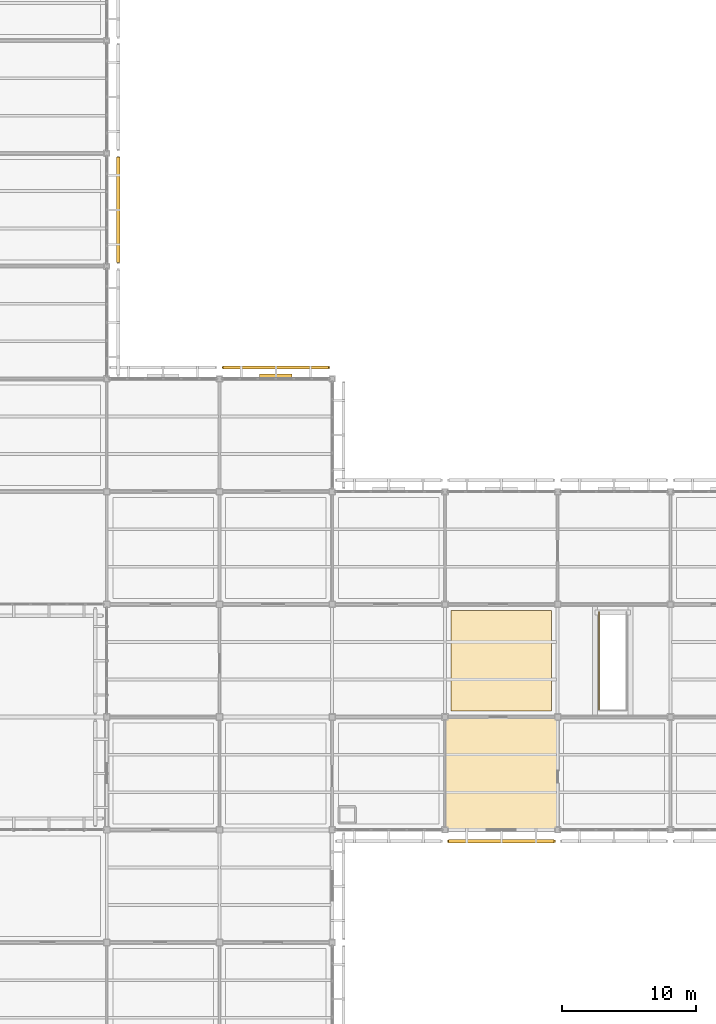
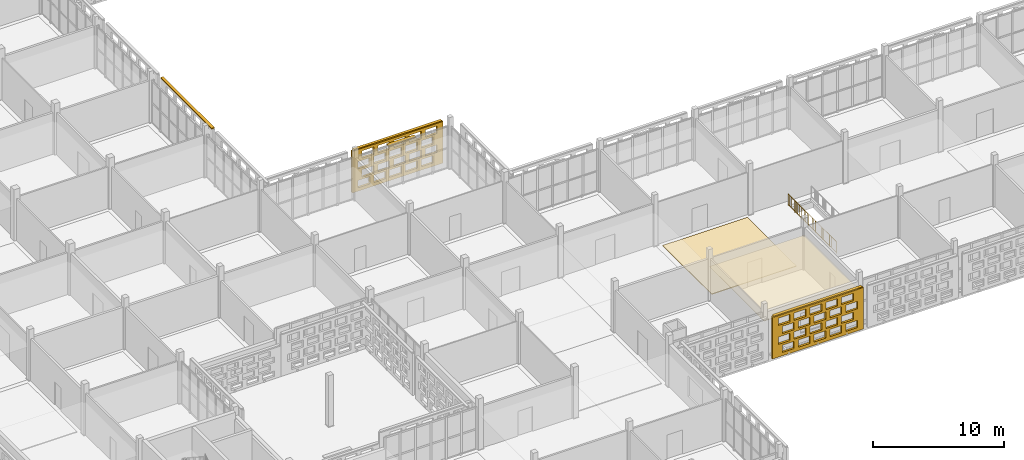
# One storey, part 148 of 203: 4 coverings, 4 shading devices, 1 railing, 40 openings.
"""IFC4 building model written with IfcOpenShell, lengths in metres."""

from ifc_helpers import new_model, si_unit, direction, frame, frame_2d, origin, origin_2d, place, context, subcontext, project, spatial, rectangle, circle, extrude, material, layer, layer_set, type_object, element, save


model = new_model("IFC4")

# Units and contexts
model_context = context("Model", 3, precision=1e-05, world=origin(), true_north=direction((0.0, 1.0)))
body_context = subcontext(model_context, "Body", "Model", "MODEL_VIEW")
ifc_project = project(units=[si_unit("LENGTHUNIT", "METRE"), si_unit("AREAUNIT", "SQUARE_METRE"), si_unit("VOLUMEUNIT", "CUBIC_METRE"), si_unit("PLANEANGLEUNIT", "RADIAN"), si_unit("MASSUNIT", "GRAM", prefix="KILO")], contexts=[model_context])

# Site, building, storey
site_placement = place(None, origin())
site = spatial("IfcSite", under=ifc_project, at=site_placement, CompositionType="ELEMENT")
building_placement = place(site_placement, origin())
building = spatial("IfcBuilding", under=site, at=building_placement, Name="Varnapada Polytechnic", CompositionType="ELEMENT")
storey_placement = place(building_placement, frame((0.0, 0.0, 4.800048828125)))
storey = spatial("IfcBuildingStorey", under=building, at=storey_placement, Name="L01", CompositionType="ELEMENT", Elevation=4.800048828125)

# Covering
ifc_material_1 = material(Name="End-Grain Timber Studio Block Flooring", Category="wood")
ifc_layer_1 = layer(ifc_material_1, 0.054931640625)
ifc_layer_set_1 = layer_set([ifc_layer_1], Name="End-Grain Timber Studio Block Flooring")
covering_type_1 = type_object("IfcCoveringType", Name="Floor Finish FLR-04", PredefinedType="FLOORING", material=ifc_layer_set_1)
covering_1_placement = place(storey_placement, frame((71.39990234375, 29.39990234375, 0.0), z_axis=(0.0, 0.0, 1.0), x_axis=(1.0, 0.0, 0.0)))
element("IfcCovering", 1, at=covering_1_placement, inside=storey, type_object=covering_type_1, Name="L01 floor finish panel (9,4)", PredefinedType="FLOORING", context=body_context, shape_type="SweptSolid", body=[
    extrude(rectangle(XDim=7.5, YDim=7.5, at=origin_2d()), origin(), (0.0, 0.0, 1.0), 0.054931640625),
])

# Shading device
ifc_material_2 = material(Name="Anodised aluminium", Category="aluminium")
ifc_layer_2 = layer(ifc_material_2, 0.35009765625)
ifc_layer_set_2 = layer_set([ifc_layer_2], Name="Anodised aluminium")
shading_device_type_1 = type_object("IfcShadingDeviceType", Name="Solar Louvre LVR-01", PredefinedType="JALOUSIE", material=ifc_layer_set_2)
shading_device_1_placement = place(storey_placement, frame((54.60009765625, 50.580078125, 3.760009765625), z_axis=(0.0, 0.0, 1.0), x_axis=(1.0, 0.0, 0.0)))
element("IfcShadingDevice", 2, at=shading_device_1_placement, inside=storey, type_object=shading_device_type_1, Name="L01 aluminium sun louvre 46", PredefinedType="JALOUSIE", context=body_context, shape_type="SweptSolid", body=[
    extrude(rectangle(XDim=2.39990234375, YDim=0.340087890625, at=origin_2d()), origin(), (0.0, 0.0, 1.0), 0.1201171875),
])

# Railing
ifc_material_3 = material(Name="Brushed Stainless Steel 316", Category="steel")
railing_type = type_object("IfcRailingType", Name="Stair Well Guard Rail SGR-01", PredefinedType="BALUSTRADE", material=ifc_material_3)
railing_placement = place(storey_placement, frame((78.669921875, 25.679931640625, 0.0)))
element("IfcRailing", 3, at=railing_placement, inside=storey, type_object=railing_type, Name="L01 commons stair ST-F5 well guard 1", PredefinedType="BALUSTRADE", context=body_context, shape_type="SweptSolid", body=[
    extrude(circle(Radius=0.02392578125, at=origin_2d()), frame((0.0, 0.0, 1.09619140625), z_axis=(0.0, 1.0, 0.0), x_axis=(-1.0, 0.0, 0.0)), (0.0, 0.0, 1.0), 7.340087890625),
    extrude(circle(Radius=0.02392578125, at=origin_2d()), frame((0.0, 0.0, 0.10009765625), z_axis=(0.0, 1.0, 0.0), x_axis=(-1.0, 0.0, 0.0)), (0.0, 0.0, 1.0), 7.340087890625),
    extrude(circle(Radius=0.02099609375, at=origin_2d()), origin(), (0.0, 0.0, 1.0), 1.072021484375),
    extrude(circle(Radius=0.02099609375, at=origin_2d()), frame((0.0, 1.048583984375, 0.0)), (0.0, 0.0, 1.0), 1.072021484375),
    extrude(circle(Radius=0.02099609375, at=origin_2d()), frame((0.0, 2.09716796875, 0.0)), (0.0, 0.0, 1.0), 1.072021484375),
    extrude(circle(Radius=0.02099609375, at=origin_2d()), frame((0.0, 3.145751953125, 0.0)), (0.0, 0.0, 1.0), 1.072021484375),
    extrude(circle(Radius=0.02099609375, at=origin_2d()), frame((0.0, 4.1943359375, 0.0)), (0.0, 0.0, 1.0), 1.072021484375),
    extrude(circle(Radius=0.02099609375, at=origin_2d()), frame((0.0, 5.242919921875, 0.0)), (0.0, 0.0, 1.0), 1.072021484375),
    extrude(circle(Radius=0.02099609375, at=origin_2d()), frame((0.0, 6.29150390625, 0.0)), (0.0, 0.0, 1.0), 1.072021484375),
    extrude(circle(Radius=0.02099609375, at=origin_2d()), frame((0.0, 7.340087890625, 0.0)), (0.0, 0.0, 1.0), 1.072021484375),
    extrude(circle(Radius=0.010009765625, at=origin_2d()), frame((0.0, 0.24462890625, 0.10009765625)), (0.0, 0.0, 1.0), 0.971923828125),
    extrude(circle(Radius=0.010009765625, at=origin_2d()), frame((0.0, 0.4892578125, 0.10009765625)), (0.0, 0.0, 1.0), 0.971923828125),
    extrude(circle(Radius=0.010009765625, at=origin_2d()), frame((0.0, 0.73388671875, 0.10009765625)), (0.0, 0.0, 1.0), 0.971923828125),
    extrude(circle(Radius=0.010009765625, at=origin_2d()), frame((0.0, 0.978759765625, 0.10009765625)), (0.0, 0.0, 1.0), 0.971923828125),
    extrude(circle(Radius=0.010009765625, at=origin_2d()), frame((0.0, 1.223388671875, 0.10009765625)), (0.0, 0.0, 1.0), 0.971923828125),
    extrude(circle(Radius=0.010009765625, at=origin_2d()), frame((0.0, 1.468017578125, 0.10009765625)), (0.0, 0.0, 1.0), 0.971923828125),
    extrude(circle(Radius=0.010009765625, at=origin_2d()), frame((0.0, 1.712646484375, 0.10009765625)), (0.0, 0.0, 1.0), 0.971923828125),
    extrude(circle(Radius=0.010009765625, at=origin_2d()), frame((0.0, 1.957275390625, 0.10009765625)), (0.0, 0.0, 1.0), 0.971923828125),
    extrude(circle(Radius=0.010009765625, at=origin_2d()), frame((0.0, 2.2021484375, 0.10009765625)), (0.0, 0.0, 1.0), 0.971923828125),
    extrude(circle(Radius=0.010009765625, at=origin_2d()), frame((0.0, 2.44677734375, 0.10009765625)), (0.0, 0.0, 1.0), 0.971923828125),
    extrude(circle(Radius=0.010009765625, at=origin_2d()), frame((0.0, 2.69140625, 0.10009765625)), (0.0, 0.0, 1.0), 0.971923828125),
    extrude(circle(Radius=0.010009765625, at=origin_2d()), frame((0.0, 2.93603515625, 0.10009765625)), (0.0, 0.0, 1.0), 0.971923828125),
    extrude(circle(Radius=0.010009765625, at=origin_2d()), frame((0.0, 3.1806640625, 0.10009765625)), (0.0, 0.0, 1.0), 0.971923828125),
    extrude(circle(Radius=0.010009765625, at=origin_2d()), frame((0.0, 3.42529296875, 0.10009765625)), (0.0, 0.0, 1.0), 0.971923828125),
    extrude(circle(Radius=0.010009765625, at=origin_2d()), frame((0.0, 3.669921875, 0.10009765625)), (0.0, 0.0, 1.0), 0.971923828125),
    extrude(circle(Radius=0.010009765625, at=origin_2d()), frame((0.0, 3.914794921875, 0.10009765625)), (0.0, 0.0, 1.0), 0.971923828125),
    extrude(circle(Radius=0.010009765625, at=origin_2d()), frame((0.0, 4.159423828125, 0.10009765625)), (0.0, 0.0, 1.0), 0.971923828125),
    extrude(circle(Radius=0.010009765625, at=origin_2d()), frame((0.0, 4.404052734375, 0.10009765625)), (0.0, 0.0, 1.0), 0.971923828125),
    extrude(circle(Radius=0.010009765625, at=origin_2d()), frame((0.0, 4.648681640625, 0.10009765625)), (0.0, 0.0, 1.0), 0.971923828125),
    extrude(circle(Radius=0.010009765625, at=origin_2d()), frame((0.0, 4.893310546875, 0.10009765625)), (0.0, 0.0, 1.0), 0.971923828125),
    extrude(circle(Radius=0.010009765625, at=origin_2d()), frame((0.0, 5.13818359375, 0.10009765625)), (0.0, 0.0, 1.0), 0.971923828125),
    extrude(circle(Radius=0.010009765625, at=origin_2d()), frame((0.0, 5.3828125, 0.10009765625)), (0.0, 0.0, 1.0), 0.971923828125),
    extrude(circle(Radius=0.010009765625, at=origin_2d()), frame((0.0, 5.62744140625, 0.10009765625)), (0.0, 0.0, 1.0), 0.971923828125),
    extrude(circle(Radius=0.010009765625, at=origin_2d()), frame((0.0, 5.8720703125, 0.10009765625)), (0.0, 0.0, 1.0), 0.971923828125),
    extrude(circle(Radius=0.010009765625, at=origin_2d()), frame((0.0, 6.11669921875, 0.10009765625)), (0.0, 0.0, 1.0), 0.971923828125),
    extrude(circle(Radius=0.010009765625, at=origin_2d()), frame((0.0, 6.361328125, 0.10009765625)), (0.0, 0.0, 1.0), 0.971923828125),
    extrude(circle(Radius=0.010009765625, at=origin_2d()), frame((0.0, 6.60595703125, 0.10009765625)), (0.0, 0.0, 1.0), 0.971923828125),
    extrude(circle(Radius=0.010009765625, at=origin_2d()), frame((0.0, 6.850830078125, 0.10009765625)), (0.0, 0.0, 1.0), 0.971923828125),
    extrude(circle(Radius=0.010009765625, at=origin_2d()), frame((0.0, 7.095458984375, 0.10009765625)), (0.0, 0.0, 1.0), 0.971923828125),
])

# Covering
ifc_material_4 = material(Name="Moisture-Resistant Aluminum Baffle Ceiling", Category="aluminium")
ifc_layer_3 = layer(ifc_material_4, 0.030029296875)
ifc_layer_set_3 = layer_set([ifc_layer_3], Name="Moisture-Resistant Aluminum Baffle Ceiling")
covering_type_2 = type_object("IfcCoveringType", Name="Suspended Ceiling CLG-03", PredefinedType="CEILING", material=ifc_layer_set_3)
covering_2_placement = place(storey_placement, frame((71.39990234375, 21.0, 3.03515625), z_axis=(0.0, 0.0, 1.0), x_axis=(1.0, 0.0, 0.0)))
element("IfcCovering", 4, at=covering_2_placement, inside=storey, type_object=covering_type_2, Name="L01 suspended acoustic ceiling (9,3)", PredefinedType="CEILING", context=body_context, shape_type="SweptSolid", body=[
    extrude(rectangle(XDim=8.419921875, YDim=8.419921875, at=origin_2d()), origin(), (0.0, 0.0, 1.0), 0.030029296875),
])

# Covering, openings
ifc_material_5 = material(Name="Earth-toned architectural terracotta screen block", Category="masonry")
ifc_layer_4 = layer(ifc_material_5, 0.1201171875)
ifc_layer_set_4 = layer_set([ifc_layer_4], Name="Earth-toned architectural terracotta screen block")
covering_type_3 = type_object("IfcCoveringType", Name="Terracotta Screen Cladding CLD-01", PredefinedType="CLADDING", material=ifc_layer_set_4)
covering_3_placement = place(storey_placement, frame((50.580078125, 51.25, 0.0), z_axis=(0.0, 0.0, 1.0), x_axis=(1.0, 0.0, 0.0)))
covering_3 = element("IfcCovering", 5, at=covering_3_placement, inside=storey, type_object=covering_type_3, Name="L01 perforated terracotta block screen (46)", PredefinedType="CLADDING", context=body_context, shape_type="SweptSolid", body=[
    extrude(rectangle(XDim=8.0400390625, YDim=0.179931640625, at=frame_2d((4.02001953125, 0.0))), origin(), (0.0, 0.0, 1.0), 3.919921875),
])
opening_1_placement = place(covering_3_placement, frame((0.52001953125, 0.0, 0.313720703125)))
element("IfcOpeningElement", 6, at=opening_1_placement, cuts=covering_3, Name="Screen perforation TBS-L01-045.1", PredefinedType="OPENING", context=body_context, shape_type="SweptSolid", body=[
    extrude(rectangle(XDim=1.0400390625, YDim=0.679931640625, at=frame_2d((0.52001953125, 0.33984375))), frame((0.0, 0.099853515625, 0.0), z_axis=(0.0, -1.0, 0.0), x_axis=(1.0, 0.0, 0.0)), (0.0, 0.0, 1.0), 0.199951171875),
])
opening_2_placement = place(covering_3_placement, frame((1.919921875, 0.0, 0.313720703125)))
element("IfcOpeningElement", 7, at=opening_2_placement, cuts=covering_3, Name="Screen perforation TBS-L01-045.2", PredefinedType="OPENING", context=body_context, shape_type="SweptSolid", body=[
    extrude(rectangle(XDim=1.0400390625, YDim=0.679931640625, at=frame_2d((0.52001953125, 0.33984375))), frame((0.0, 0.099853515625, 0.0), z_axis=(0.0, -1.0, 0.0), x_axis=(1.0, 0.0, 0.0)), (0.0, 0.0, 1.0), 0.199951171875),
])
opening_3_placement = place(covering_3_placement, frame((3.320068359375, 0.0, 0.313720703125)))
element("IfcOpeningElement", 8, at=opening_3_placement, cuts=covering_3, Name="Screen perforation TBS-L01-045.3", PredefinedType="OPENING", context=body_context, shape_type="SweptSolid", body=[
    extrude(rectangle(XDim=1.0400390625, YDim=0.679931640625, at=frame_2d((0.52001953125, 0.33984375))), frame((0.0, 0.099853515625, 0.0), z_axis=(0.0, -1.0, 0.0), x_axis=(1.0, 0.0, 0.0)), (0.0, 0.0, 1.0), 0.199951171875),
])
opening_4_placement = place(covering_3_placement, frame((4.719970703125, 0.0, 0.313720703125)))
element("IfcOpeningElement", 9, at=opening_4_placement, cuts=covering_3, Name="Screen perforation TBS-L01-045.4", PredefinedType="OPENING", context=body_context, shape_type="SweptSolid", body=[
    extrude(rectangle(XDim=1.0400390625, YDim=0.679931640625, at=frame_2d((0.52001953125, 0.33984375))), frame((0.0, 0.099853515625, 0.0), z_axis=(0.0, -1.0, 0.0), x_axis=(1.0, 0.0, 0.0)), (0.0, 0.0, 1.0), 0.199951171875),
])
opening_5_placement = place(covering_3_placement, frame((6.1201171875, 0.0, 0.313720703125)))
element("IfcOpeningElement", 10, at=opening_5_placement, cuts=covering_3, Name="Screen perforation TBS-L01-045.5", PredefinedType="OPENING", context=body_context, shape_type="SweptSolid", body=[
    extrude(rectangle(XDim=1.0400390625, YDim=0.679931640625, at=frame_2d((0.52001953125, 0.33984375))), frame((0.0, 0.099853515625, 0.0), z_axis=(0.0, -1.0, 0.0), x_axis=(1.0, 0.0, 0.0)), (0.0, 0.0, 1.0), 0.199951171875),
])
opening_6_placement = place(covering_3_placement, frame((0.8798828125, 0.0, 1.195556640625)))
element("IfcOpeningElement", 11, at=opening_6_placement, cuts=covering_3, Name="Screen perforation TBS-L01-045.6", PredefinedType="OPENING", context=body_context, shape_type="SweptSolid", body=[
    extrude(rectangle(XDim=1.0400390625, YDim=0.679931640625, at=frame_2d((0.52001953125, 0.33984375))), frame((0.0, 0.099853515625, 0.0), z_axis=(0.0, -1.0, 0.0), x_axis=(1.0, 0.0, 0.0)), (0.0, 0.0, 1.0), 0.199951171875),
])
opening_7_placement = place(covering_3_placement, frame((2.280029296875, 0.0, 1.195556640625)))
element("IfcOpeningElement", 12, at=opening_7_placement, cuts=covering_3, Name="Screen perforation TBS-L01-045.7", PredefinedType="OPENING", context=body_context, shape_type="SweptSolid", body=[
    extrude(rectangle(XDim=1.0400390625, YDim=0.679931640625, at=frame_2d((0.52001953125, 0.33984375))), frame((0.0, 0.099853515625, 0.0), z_axis=(0.0, -1.0, 0.0), x_axis=(1.0, 0.0, 0.0)), (0.0, 0.0, 1.0), 0.199951171875),
])
opening_8_placement = place(covering_3_placement, frame((3.679931640625, 0.0, 1.195556640625)))
element("IfcOpeningElement", 13, at=opening_8_placement, cuts=covering_3, Name="Screen perforation TBS-L01-045.8", PredefinedType="OPENING", context=body_context, shape_type="SweptSolid", body=[
    extrude(rectangle(XDim=1.0400390625, YDim=0.679931640625, at=frame_2d((0.52001953125, 0.33984375))), frame((0.0, 0.099853515625, 0.0), z_axis=(0.0, -1.0, 0.0), x_axis=(1.0, 0.0, 0.0)), (0.0, 0.0, 1.0), 0.199951171875),
])
opening_9_placement = place(covering_3_placement, frame((5.080078125, 0.0, 1.195556640625)))
element("IfcOpeningElement", 14, at=opening_9_placement, cuts=covering_3, Name="Screen perforation TBS-L01-045.9", PredefinedType="OPENING", context=body_context, shape_type="SweptSolid", body=[
    extrude(rectangle(XDim=1.0400390625, YDim=0.679931640625, at=frame_2d((0.52001953125, 0.33984375))), frame((0.0, 0.099853515625, 0.0), z_axis=(0.0, -1.0, 0.0), x_axis=(1.0, 0.0, 0.0)), (0.0, 0.0, 1.0), 0.199951171875),
])
opening_10_placement = place(covering_3_placement, frame((6.47998046875, 0.0, 1.195556640625)))
element("IfcOpeningElement", 15, at=opening_10_placement, cuts=covering_3, Name="Screen perforation TBS-L01-045.10", PredefinedType="OPENING", context=body_context, shape_type="SweptSolid", body=[
    extrude(rectangle(XDim=1.0400390625, YDim=0.679931640625, at=frame_2d((0.52001953125, 0.33984375))), frame((0.0, 0.099853515625, 0.0), z_axis=(0.0, -1.0, 0.0), x_axis=(1.0, 0.0, 0.0)), (0.0, 0.0, 1.0), 0.199951171875),
])
opening_11_placement = place(covering_3_placement, frame((0.52001953125, 0.0, 2.07763671875)))
element("IfcOpeningElement", 16, at=opening_11_placement, cuts=covering_3, Name="Screen perforation TBS-L01-045.11", PredefinedType="OPENING", context=body_context, shape_type="SweptSolid", body=[
    extrude(rectangle(XDim=1.0400390625, YDim=0.679931640625, at=frame_2d((0.52001953125, 0.33984375))), frame((0.0, 0.099853515625, 0.0), z_axis=(0.0, -1.0, 0.0), x_axis=(1.0, 0.0, 0.0)), (0.0, 0.0, 1.0), 0.199951171875),
])
opening_12_placement = place(covering_3_placement, frame((1.919921875, 0.0, 2.07763671875)))
element("IfcOpeningElement", 17, at=opening_12_placement, cuts=covering_3, Name="Screen perforation TBS-L01-045.12", PredefinedType="OPENING", context=body_context, shape_type="SweptSolid", body=[
    extrude(rectangle(XDim=1.0400390625, YDim=0.679931640625, at=frame_2d((0.52001953125, 0.33984375))), frame((0.0, 0.099853515625, 0.0), z_axis=(0.0, -1.0, 0.0), x_axis=(1.0, 0.0, 0.0)), (0.0, 0.0, 1.0), 0.199951171875),
])
opening_13_placement = place(covering_3_placement, frame((3.320068359375, 0.0, 2.07763671875)))
element("IfcOpeningElement", 18, at=opening_13_placement, cuts=covering_3, Name="Screen perforation TBS-L01-045.13", PredefinedType="OPENING", context=body_context, shape_type="SweptSolid", body=[
    extrude(rectangle(XDim=1.0400390625, YDim=0.679931640625, at=frame_2d((0.52001953125, 0.33984375))), frame((0.0, 0.099853515625, 0.0), z_axis=(0.0, -1.0, 0.0), x_axis=(1.0, 0.0, 0.0)), (0.0, 0.0, 1.0), 0.199951171875),
])
opening_14_placement = place(covering_3_placement, frame((4.719970703125, 0.0, 2.07763671875)))
element("IfcOpeningElement", 19, at=opening_14_placement, cuts=covering_3, Name="Screen perforation TBS-L01-045.14", PredefinedType="OPENING", context=body_context, shape_type="SweptSolid", body=[
    extrude(rectangle(XDim=1.0400390625, YDim=0.679931640625, at=frame_2d((0.52001953125, 0.33984375))), frame((0.0, 0.099853515625, 0.0), z_axis=(0.0, -1.0, 0.0), x_axis=(1.0, 0.0, 0.0)), (0.0, 0.0, 1.0), 0.199951171875),
])
opening_15_placement = place(covering_3_placement, frame((6.1201171875, 0.0, 2.07763671875)))
element("IfcOpeningElement", 20, at=opening_15_placement, cuts=covering_3, Name="Screen perforation TBS-L01-045.15", PredefinedType="OPENING", context=body_context, shape_type="SweptSolid", body=[
    extrude(rectangle(XDim=1.0400390625, YDim=0.679931640625, at=frame_2d((0.52001953125, 0.33984375))), frame((0.0, 0.099853515625, 0.0), z_axis=(0.0, -1.0, 0.0), x_axis=(1.0, 0.0, 0.0)), (0.0, 0.0, 1.0), 0.199951171875),
])
opening_16_placement = place(covering_3_placement, frame((0.8798828125, 0.0, 2.959716796875)))
element("IfcOpeningElement", 21, at=opening_16_placement, cuts=covering_3, Name="Screen perforation TBS-L01-045.16", PredefinedType="OPENING", context=body_context, shape_type="SweptSolid", body=[
    extrude(rectangle(XDim=1.0400390625, YDim=0.679931640625, at=frame_2d((0.52001953125, 0.33984375))), frame((0.0, 0.099853515625, 0.0), z_axis=(0.0, -1.0, 0.0), x_axis=(1.0, 0.0, 0.0)), (0.0, 0.0, 1.0), 0.199951171875),
])
opening_17_placement = place(covering_3_placement, frame((2.280029296875, 0.0, 2.959716796875)))
element("IfcOpeningElement", 22, at=opening_17_placement, cuts=covering_3, Name="Screen perforation TBS-L01-045.17", PredefinedType="OPENING", context=body_context, shape_type="SweptSolid", body=[
    extrude(rectangle(XDim=1.0400390625, YDim=0.679931640625, at=frame_2d((0.52001953125, 0.33984375))), frame((0.0, 0.099853515625, 0.0), z_axis=(0.0, -1.0, 0.0), x_axis=(1.0, 0.0, 0.0)), (0.0, 0.0, 1.0), 0.199951171875),
])
opening_18_placement = place(covering_3_placement, frame((3.679931640625, 0.0, 2.959716796875)))
element("IfcOpeningElement", 23, at=opening_18_placement, cuts=covering_3, Name="Screen perforation TBS-L01-045.18", PredefinedType="OPENING", context=body_context, shape_type="SweptSolid", body=[
    extrude(rectangle(XDim=1.0400390625, YDim=0.679931640625, at=frame_2d((0.52001953125, 0.33984375))), frame((0.0, 0.099853515625, 0.0), z_axis=(0.0, -1.0, 0.0), x_axis=(1.0, 0.0, 0.0)), (0.0, 0.0, 1.0), 0.199951171875),
])
opening_19_placement = place(covering_3_placement, frame((5.080078125, 0.0, 2.959716796875)))
element("IfcOpeningElement", 24, at=opening_19_placement, cuts=covering_3, Name="Screen perforation TBS-L01-045.19", PredefinedType="OPENING", context=body_context, shape_type="SweptSolid", body=[
    extrude(rectangle(XDim=1.0400390625, YDim=0.679931640625, at=frame_2d((0.52001953125, 0.33984375))), frame((0.0, 0.099853515625, 0.0), z_axis=(0.0, -1.0, 0.0), x_axis=(1.0, 0.0, 0.0)), (0.0, 0.0, 1.0), 0.199951171875),
])
opening_20_placement = place(covering_3_placement, frame((6.47998046875, 0.0, 2.959716796875)))
element("IfcOpeningElement", 25, at=opening_20_placement, cuts=covering_3, Name="Screen perforation TBS-L01-045.20", PredefinedType="OPENING", context=body_context, shape_type="SweptSolid", body=[
    extrude(rectangle(XDim=1.0400390625, YDim=0.679931640625, at=frame_2d((0.52001953125, 0.33984375))), frame((0.0, 0.099853515625, 0.0), z_axis=(0.0, -1.0, 0.0), x_axis=(1.0, 0.0, 0.0)), (0.0, 0.0, 1.0), 0.199951171875),
])

covering_4_placement = place(storey_placement, frame((75.419921875, 15.949951171875, 0.0), z_axis=(0.0, 0.0, 1.0), x_axis=(-1.0, 0.0, 0.0)))
covering_4 = element("IfcCovering", 26, at=covering_4_placement, inside=storey, type_object=covering_type_3, Name="L01 perforated terracotta block screen (60)", PredefinedType="CLADDING", context=body_context, shape_type="SweptSolid", body=[
    extrude(rectangle(XDim=8.0400390625, YDim=0.179931640625, at=frame_2d((4.02001953125, 0.0))), origin(), (0.0, 0.0, 1.0), 3.919921875),
])
opening_21_placement = place(covering_4_placement, frame((0.52001953125, 0.0, 0.313720703125)))
element("IfcOpeningElement", 27, at=opening_21_placement, cuts=covering_4, Name="Screen perforation TBS-L01-059.1", PredefinedType="OPENING", context=body_context, shape_type="SweptSolid", body=[
    extrude(rectangle(XDim=1.0400390625, YDim=0.679931640625, at=frame_2d((0.52001953125, 0.33984375))), frame((0.0, 0.099853515625, 0.0), z_axis=(0.0, -1.0, 0.0), x_axis=(1.0, 0.0, 0.0)), (0.0, 0.0, 1.0), 0.199951171875),
])
opening_22_placement = place(covering_4_placement, frame((1.919921875, 0.0, 0.313720703125)))
element("IfcOpeningElement", 28, at=opening_22_placement, cuts=covering_4, Name="Screen perforation TBS-L01-059.2", PredefinedType="OPENING", context=body_context, shape_type="SweptSolid", body=[
    extrude(rectangle(XDim=1.0400390625, YDim=0.679931640625, at=frame_2d((0.52001953125, 0.33984375))), frame((0.0, 0.099853515625, 0.0), z_axis=(0.0, -1.0, 0.0), x_axis=(1.0, 0.0, 0.0)), (0.0, 0.0, 1.0), 0.199951171875),
])
opening_23_placement = place(covering_4_placement, frame((3.320068359375, 0.0, 0.313720703125)))
element("IfcOpeningElement", 29, at=opening_23_placement, cuts=covering_4, Name="Screen perforation TBS-L01-059.3", PredefinedType="OPENING", context=body_context, shape_type="SweptSolid", body=[
    extrude(rectangle(XDim=1.0400390625, YDim=0.679931640625, at=frame_2d((0.52001953125, 0.33984375))), frame((0.0, 0.099853515625, 0.0), z_axis=(0.0, -1.0, 0.0), x_axis=(1.0, 0.0, 0.0)), (0.0, 0.0, 1.0), 0.199951171875),
])
opening_24_placement = place(covering_4_placement, frame((4.719970703125, 0.0, 0.313720703125)))
element("IfcOpeningElement", 30, at=opening_24_placement, cuts=covering_4, Name="Screen perforation TBS-L01-059.4", PredefinedType="OPENING", context=body_context, shape_type="SweptSolid", body=[
    extrude(rectangle(XDim=1.0400390625, YDim=0.679931640625, at=frame_2d((0.52001953125, 0.33984375))), frame((0.0, 0.099853515625, 0.0), z_axis=(0.0, -1.0, 0.0), x_axis=(1.0, 0.0, 0.0)), (0.0, 0.0, 1.0), 0.199951171875),
])
opening_25_placement = place(covering_4_placement, frame((6.1201171875, 0.0, 0.313720703125)))
element("IfcOpeningElement", 31, at=opening_25_placement, cuts=covering_4, Name="Screen perforation TBS-L01-059.5", PredefinedType="OPENING", context=body_context, shape_type="SweptSolid", body=[
    extrude(rectangle(XDim=1.0400390625, YDim=0.679931640625, at=frame_2d((0.52001953125, 0.33984375))), frame((0.0, 0.099853515625, 0.0), z_axis=(0.0, -1.0, 0.0), x_axis=(1.0, 0.0, 0.0)), (0.0, 0.0, 1.0), 0.199951171875),
])
opening_26_placement = place(covering_4_placement, frame((0.8798828125, 0.0, 1.195556640625)))
element("IfcOpeningElement", 32, at=opening_26_placement, cuts=covering_4, Name="Screen perforation TBS-L01-059.6", PredefinedType="OPENING", context=body_context, shape_type="SweptSolid", body=[
    extrude(rectangle(XDim=1.0400390625, YDim=0.679931640625, at=frame_2d((0.52001953125, 0.33984375))), frame((0.0, 0.099853515625, 0.0), z_axis=(0.0, -1.0, 0.0), x_axis=(1.0, 0.0, 0.0)), (0.0, 0.0, 1.0), 0.199951171875),
])
opening_27_placement = place(covering_4_placement, frame((2.280029296875, 0.0, 1.195556640625)))
element("IfcOpeningElement", 33, at=opening_27_placement, cuts=covering_4, Name="Screen perforation TBS-L01-059.7", PredefinedType="OPENING", context=body_context, shape_type="SweptSolid", body=[
    extrude(rectangle(XDim=1.0400390625, YDim=0.679931640625, at=frame_2d((0.52001953125, 0.33984375))), frame((0.0, 0.099853515625, 0.0), z_axis=(0.0, -1.0, 0.0), x_axis=(1.0, 0.0, 0.0)), (0.0, 0.0, 1.0), 0.199951171875),
])
opening_28_placement = place(covering_4_placement, frame((3.679931640625, 0.0, 1.195556640625)))
element("IfcOpeningElement", 34, at=opening_28_placement, cuts=covering_4, Name="Screen perforation TBS-L01-059.8", PredefinedType="OPENING", context=body_context, shape_type="SweptSolid", body=[
    extrude(rectangle(XDim=1.0400390625, YDim=0.679931640625, at=frame_2d((0.52001953125, 0.33984375))), frame((0.0, 0.099853515625, 0.0), z_axis=(0.0, -1.0, 0.0), x_axis=(1.0, 0.0, 0.0)), (0.0, 0.0, 1.0), 0.199951171875),
])
opening_29_placement = place(covering_4_placement, frame((5.080078125, 0.0, 1.195556640625)))
element("IfcOpeningElement", 35, at=opening_29_placement, cuts=covering_4, Name="Screen perforation TBS-L01-059.9", PredefinedType="OPENING", context=body_context, shape_type="SweptSolid", body=[
    extrude(rectangle(XDim=1.0400390625, YDim=0.679931640625, at=frame_2d((0.52001953125, 0.33984375))), frame((0.0, 0.099853515625, 0.0), z_axis=(0.0, -1.0, 0.0), x_axis=(1.0, 0.0, 0.0)), (0.0, 0.0, 1.0), 0.199951171875),
])
opening_30_placement = place(covering_4_placement, frame((6.47998046875, 0.0, 1.195556640625)))
element("IfcOpeningElement", 36, at=opening_30_placement, cuts=covering_4, Name="Screen perforation TBS-L01-059.10", PredefinedType="OPENING", context=body_context, shape_type="SweptSolid", body=[
    extrude(rectangle(XDim=1.0400390625, YDim=0.679931640625, at=frame_2d((0.52001953125, 0.33984375))), frame((0.0, 0.099853515625, 0.0), z_axis=(0.0, -1.0, 0.0), x_axis=(1.0, 0.0, 0.0)), (0.0, 0.0, 1.0), 0.199951171875),
])
opening_31_placement = place(covering_4_placement, frame((0.52001953125, 0.0, 2.07763671875)))
element("IfcOpeningElement", 37, at=opening_31_placement, cuts=covering_4, Name="Screen perforation TBS-L01-059.11", PredefinedType="OPENING", context=body_context, shape_type="SweptSolid", body=[
    extrude(rectangle(XDim=1.0400390625, YDim=0.679931640625, at=frame_2d((0.52001953125, 0.33984375))), frame((0.0, 0.099853515625, 0.0), z_axis=(0.0, -1.0, 0.0), x_axis=(1.0, 0.0, 0.0)), (0.0, 0.0, 1.0), 0.199951171875),
])
opening_32_placement = place(covering_4_placement, frame((1.919921875, 0.0, 2.07763671875)))
element("IfcOpeningElement", 38, at=opening_32_placement, cuts=covering_4, Name="Screen perforation TBS-L01-059.12", PredefinedType="OPENING", context=body_context, shape_type="SweptSolid", body=[
    extrude(rectangle(XDim=1.0400390625, YDim=0.679931640625, at=frame_2d((0.52001953125, 0.33984375))), frame((0.0, 0.099853515625, 0.0), z_axis=(0.0, -1.0, 0.0), x_axis=(1.0, 0.0, 0.0)), (0.0, 0.0, 1.0), 0.199951171875),
])
opening_33_placement = place(covering_4_placement, frame((3.320068359375, 0.0, 2.07763671875)))
element("IfcOpeningElement", 39, at=opening_33_placement, cuts=covering_4, Name="Screen perforation TBS-L01-059.13", PredefinedType="OPENING", context=body_context, shape_type="SweptSolid", body=[
    extrude(rectangle(XDim=1.0400390625, YDim=0.679931640625, at=frame_2d((0.52001953125, 0.33984375))), frame((0.0, 0.099853515625, 0.0), z_axis=(0.0, -1.0, 0.0), x_axis=(1.0, 0.0, 0.0)), (0.0, 0.0, 1.0), 0.199951171875),
])
opening_34_placement = place(covering_4_placement, frame((4.719970703125, 0.0, 2.07763671875)))
element("IfcOpeningElement", 40, at=opening_34_placement, cuts=covering_4, Name="Screen perforation TBS-L01-059.14", PredefinedType="OPENING", context=body_context, shape_type="SweptSolid", body=[
    extrude(rectangle(XDim=1.0400390625, YDim=0.679931640625, at=frame_2d((0.52001953125, 0.33984375))), frame((0.0, 0.099853515625, 0.0), z_axis=(0.0, -1.0, 0.0), x_axis=(1.0, 0.0, 0.0)), (0.0, 0.0, 1.0), 0.199951171875),
])
opening_35_placement = place(covering_4_placement, frame((6.1201171875, 0.0, 2.07763671875)))
element("IfcOpeningElement", 41, at=opening_35_placement, cuts=covering_4, Name="Screen perforation TBS-L01-059.15", PredefinedType="OPENING", context=body_context, shape_type="SweptSolid", body=[
    extrude(rectangle(XDim=1.0400390625, YDim=0.679931640625, at=frame_2d((0.52001953125, 0.33984375))), frame((0.0, 0.099853515625, 0.0), z_axis=(0.0, -1.0, 0.0), x_axis=(1.0, 0.0, 0.0)), (0.0, 0.0, 1.0), 0.199951171875),
])
opening_36_placement = place(covering_4_placement, frame((0.8798828125, 0.0, 2.959716796875)))
element("IfcOpeningElement", 42, at=opening_36_placement, cuts=covering_4, Name="Screen perforation TBS-L01-059.16", PredefinedType="OPENING", context=body_context, shape_type="SweptSolid", body=[
    extrude(rectangle(XDim=1.0400390625, YDim=0.679931640625, at=frame_2d((0.52001953125, 0.33984375))), frame((0.0, 0.099853515625, 0.0), z_axis=(0.0, -1.0, 0.0), x_axis=(1.0, 0.0, 0.0)), (0.0, 0.0, 1.0), 0.199951171875),
])
opening_37_placement = place(covering_4_placement, frame((2.280029296875, 0.0, 2.959716796875)))
element("IfcOpeningElement", 43, at=opening_37_placement, cuts=covering_4, Name="Screen perforation TBS-L01-059.17", PredefinedType="OPENING", context=body_context, shape_type="SweptSolid", body=[
    extrude(rectangle(XDim=1.0400390625, YDim=0.679931640625, at=frame_2d((0.52001953125, 0.33984375))), frame((0.0, 0.099853515625, 0.0), z_axis=(0.0, -1.0, 0.0), x_axis=(1.0, 0.0, 0.0)), (0.0, 0.0, 1.0), 0.199951171875),
])
opening_38_placement = place(covering_4_placement, frame((3.679931640625, 0.0, 2.959716796875)))
element("IfcOpeningElement", 44, at=opening_38_placement, cuts=covering_4, Name="Screen perforation TBS-L01-059.18", PredefinedType="OPENING", context=body_context, shape_type="SweptSolid", body=[
    extrude(rectangle(XDim=1.0400390625, YDim=0.679931640625, at=frame_2d((0.52001953125, 0.33984375))), frame((0.0, 0.099853515625, 0.0), z_axis=(0.0, -1.0, 0.0), x_axis=(1.0, 0.0, 0.0)), (0.0, 0.0, 1.0), 0.199951171875),
])
opening_39_placement = place(covering_4_placement, frame((5.080078125, 0.0, 2.959716796875)))
element("IfcOpeningElement", 45, at=opening_39_placement, cuts=covering_4, Name="Screen perforation TBS-L01-059.19", PredefinedType="OPENING", context=body_context, shape_type="SweptSolid", body=[
    extrude(rectangle(XDim=1.0400390625, YDim=0.679931640625, at=frame_2d((0.52001953125, 0.33984375))), frame((0.0, 0.099853515625, 0.0), z_axis=(0.0, -1.0, 0.0), x_axis=(1.0, 0.0, 0.0)), (0.0, 0.0, 1.0), 0.199951171875),
])
opening_40_placement = place(covering_4_placement, frame((6.47998046875, 0.0, 2.959716796875)))
element("IfcOpeningElement", 46, at=opening_40_placement, cuts=covering_4, Name="Screen perforation TBS-L01-059.20", PredefinedType="OPENING", context=body_context, shape_type="SweptSolid", body=[
    extrude(rectangle(XDim=1.0400390625, YDim=0.679931640625, at=frame_2d((0.52001953125, 0.33984375))), frame((0.0, 0.099853515625, 0.0), z_axis=(0.0, -1.0, 0.0), x_axis=(1.0, 0.0, 0.0)), (0.0, 0.0, 1.0), 0.199951171875),
])

# Shading devices
ifc_layer_5 = layer(ifc_material_5, 0.179931640625)
ifc_layer_set_5 = layer_set([ifc_layer_5], Name="Earth-toned architectural terracotta screen block")
shading_device_type_2 = type_object("IfcShadingDeviceType", Name="Terracotta Screen SCR-02", PredefinedType="USERDEFINED", material=ifc_layer_set_5)
shading_device_2_placement = place(storey_placement, frame((42.85009765625, 62.9951171875, 3.909912109375), z_axis=(0.0, 0.0, 1.0), x_axis=(0.0, -1.0, 0.0)))
element("IfcShadingDevice", 47, at=shading_device_2_placement, inside=storey, type_object=shading_device_type_2, Name="L01 perforated terracotta screen hood 113", ObjectType="SCREEN", PredefinedType="USERDEFINED", context=body_context, shape_type="SweptSolid", body=[
    extrude(rectangle(XDim=7.85009765625, YDim=0.239990234375, at=origin_2d()), origin(), (0.0, 0.0, 1.0), 0.10009765625),
])
for number, where, z_axis, x_axis, name in (
    (48, (54.60009765625, 51.25, 3.909912109375), (0.0, 0.0, 1.0), (1.0, 0.0, 0.0), "L01 perforated terracotta screen hood 127"),
    (49, (71.39990234375, 15.949951171875, 3.909912109375), (0.0, 0.0, 1.0), (-1.0, 0.0, 0.0), "L01 perforated terracotta screen hood 139"),
):
    element("IfcShadingDevice", number, at=place(storey_placement, frame(where, z_axis=z_axis, x_axis=x_axis)), inside=storey, type_object=shading_device_type_2, Name=name, ObjectType="SCREEN", PredefinedType="USERDEFINED", context=body_context, shape_type="SweptSolid", body=[
        extrude(rectangle(XDim=7.840087890625, YDim=0.239990234375, at=origin_2d()), origin(), (0.0, 0.0, 1.0), 0.10009765625),
    ])

save(model, "model.ifc")
